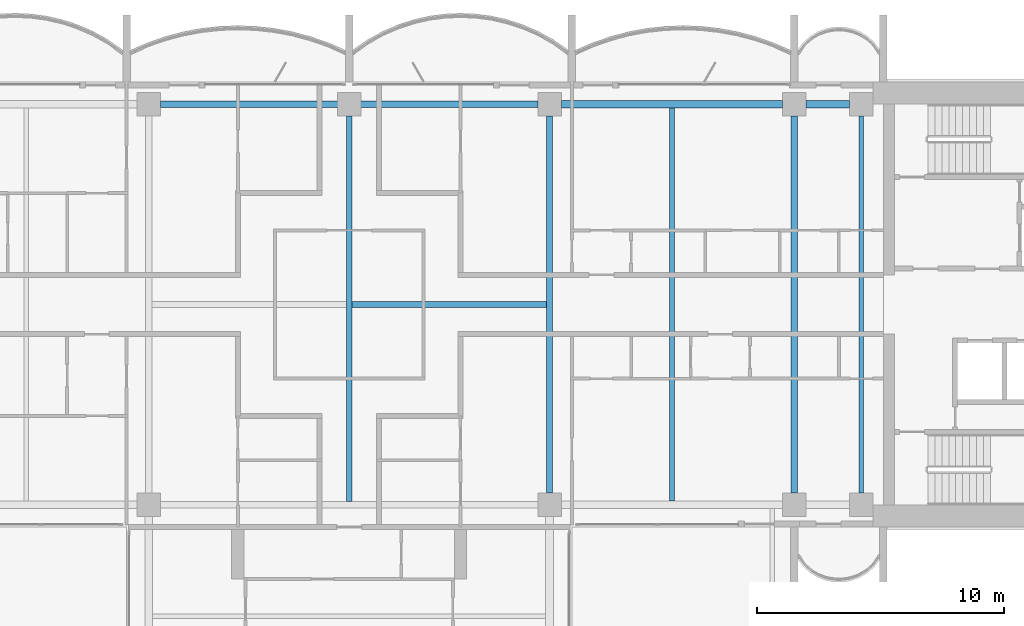
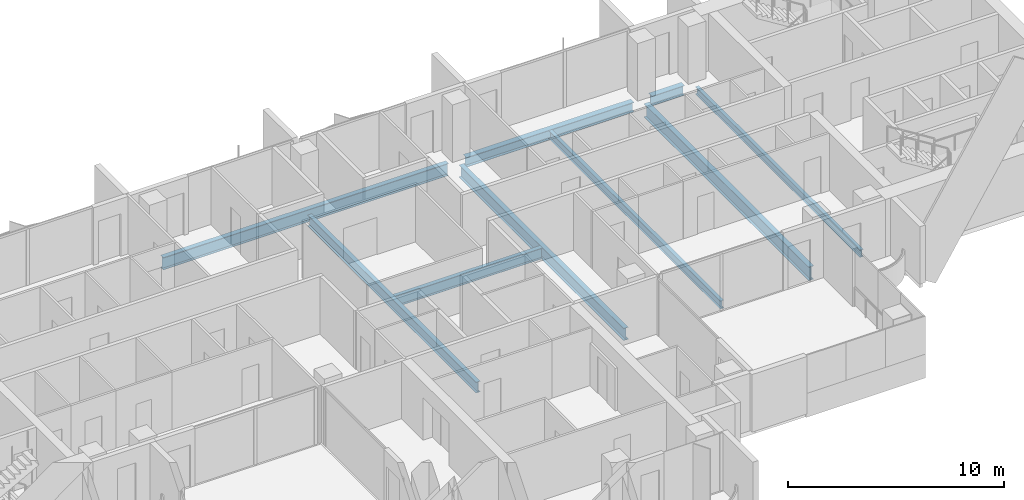
# One storey, part 4 of 17: 9 beams.
"""IFC4 building model written with IfcOpenShell, lengths in metres."""

import ifcopenshell
import ifcopenshell.guid

model = None  # the IFC model being written
_history = None  # IfcOwnerHistory: only IFC2X3 demands one
_inside = {}  # id of a spatial element -> (the spatial element, [elements in it])
_under = {}  # id of a project, library or spatial element -> (it, [spatial elements below it])
_declared = {}  # id of a project -> (the project, [libraries it declares])
_typed = {}  # id of a type object -> (the type object, [elements of that type])
_made_of = {}  # id of a material, layer set ... -> (it, [elements and type objects made of it])


def new_model(schema):
    """Start an empty IFC model of exactly this schema.

    Asked for "IFC4X3", IfcOpenShell would pick the latest addendum, in which some entities
    have other attributes; the version numbers below select the first issue.
    IFC2X3 requires an IfcOwnerHistory on every rooted entity: one is made here for all.
    """
    global model, _history
    if schema == "IFC4X3":
        model = ifcopenshell.file(schema_version=(4, 3, 0, 0))
    else:
        model = ifcopenshell.file(schema=schema)
    _inside.clear()
    _under.clear()
    _declared.clear()
    _typed.clear()
    _made_of.clear()
    _history = None
    if model.schema == "IFC2X3":
        org = make("IfcOrganization", Name="unknown")
        user = make(
            "IfcPersonAndOrganization",
            ThePerson=make("IfcPerson", FamilyName="unknown"),
            TheOrganization=org,
        )
        app = make(
            "IfcApplication",
            ApplicationDeveloper=org,
            Version="unknown",
            ApplicationFullName="unknown",
            ApplicationIdentifier="unknown",
        )
        _history = make(
            "IfcOwnerHistory",
            OwningUser=user,
            OwningApplication=app,
            ChangeAction="ADDED",
            CreationDate=0,
        )
    return model


def make(cls, **values):
    """One entity of the class cls with the attributes given. An attribute that is None is left unset."""
    return model.create_entity(
        cls, **{name: value for name, value in values.items() if value is not None}
    )


def rooted(cls, **values):
    """An entity with a GlobalId (a new one), such as an element, a storey or a relation."""
    return make(cls, GlobalId=ifcopenshell.guid.new(), OwnerHistory=_history, **values)


def si_unit(unit_type, name, prefix=None):
    """IfcSIUnit, for example si_unit("LENGTHUNIT", "METRE", prefix="MILLI")."""
    return make("IfcSIUnit", UnitType=unit_type, Prefix=prefix, Name=name)


def assignment(units):
    """IfcUnitAssignment: the units of a project."""
    return None if units is None else make("IfcUnitAssignment", Units=units)


def point(xyz):
    """IfcCartesianPoint."""
    return None if xyz is None else make("IfcCartesianPoint", Coordinates=xyz)


def direction(xyz):
    """IfcDirection."""
    return None if xyz is None else make("IfcDirection", DirectionRatios=xyz)


def frame(location, z_axis=None, x_axis=None):
    """IfcAxis2Placement3D, a coordinate frame: its origin and axes. An axis left out is left unset."""
    return make(
        "IfcAxis2Placement3D",
        Location=point(location),
        Axis=direction(z_axis),
        RefDirection=direction(x_axis),
    )


def frame_2d(location, x_axis=None):
    """IfcAxis2Placement2D, a coordinate frame in the plane: its origin and x axis."""
    return make(
        "IfcAxis2Placement2D", Location=point(location), RefDirection=direction(x_axis)
    )


def origin():
    """The frame at (0, 0, 0) with its axes left unset."""
    return frame((0.0, 0.0, 0.0))


def origin_2d():
    """The frame at (0, 0) in the plane with its x axis left unset."""
    return frame_2d((0.0, 0.0))


def place(relative_to, where):
    """IfcLocalPlacement: puts the frame where relative to a parent placement (None: the world)."""
    return make(
        "IfcLocalPlacement", PlacementRelTo=relative_to, RelativePlacement=where
    )


def context(
    kind, dimensions, precision=None, world=None, true_north=None, identifier=None
):
    """IfcGeometricRepresentationContext, for example the 3D "Model" context."""
    return make(
        "IfcGeometricRepresentationContext",
        ContextIdentifier=identifier,
        ContextType=kind,
        CoordinateSpaceDimension=dimensions,
        Precision=precision,
        WorldCoordinateSystem=world,
        TrueNorth=true_north,
    )


def subcontext(parent, identifier, kind, view, scale=None):
    """IfcGeometricRepresentationSubContext, for example "Body" below "Model"."""
    return make(
        "IfcGeometricRepresentationSubContext",
        ContextIdentifier=identifier,
        ContextType=kind,
        ParentContext=parent,
        TargetScale=scale,
        TargetView=view,
    )


def project(units=None, contexts=None):
    """IfcProject with its units and contexts."""
    return rooted(
        "IfcProject",
        Name="project",
        RepresentationContexts=contexts,
        UnitsInContext=assignment(units),
    )


def spatial(cls, under=None, at=None, **own):
    """A site, building, storey or space (cls), placed at a placement, below another one or the project."""
    s = rooted(cls, ObjectPlacement=at, **own)
    if under is not None:
        _under.setdefault(under.id(), (under, []))[1].append(s)
    return s


def profile(cls, at=None, kind="AREA", **sizes):
    """A parametric profile (cls). Its sizes go by their IFC names, for example OverallWidth=200.0."""
    return make(cls, ProfileType=kind, Position=at, **sizes)


def i_section(**sizes):
    """IfcIShapeProfileDef."""
    return profile("IfcIShapeProfileDef", **sizes)


def extrude(swept, where, along, depth):
    """IfcExtrudedAreaSolid: the profile swept, set in the frame where, extruded along a direction by depth."""
    return make(
        "IfcExtrudedAreaSolid",
        SweptArea=swept,
        Position=where,
        ExtrudedDirection=direction(along),
        Depth=depth,
    )


def shape(context_of_items, identifier, shape_type, items):
    """IfcShapeRepresentation: the items that make up one representation, for example the "Body"."""
    return make(
        "IfcShapeRepresentation",
        ContextOfItems=context_of_items,
        RepresentationIdentifier=identifier,
        RepresentationType=shape_type,
        Items=items,
    )


def material(Name=None, Category=None):
    """IfcMaterial."""
    return make("IfcMaterial", Name=Name, Category=Category)


def material_profile(
    of_material, cross_section, Name=None, Category=None, Priority=None
):
    """IfcMaterialProfile: a cross section and its material."""
    return make(
        "IfcMaterialProfile",
        Name=Name,
        Material=of_material,
        Profile=cross_section,
        Priority=Priority,
        Category=Category,
    )


def profile_set(profiles, Name=None, composite=None):
    """IfcMaterialProfileSet."""
    return make(
        "IfcMaterialProfileSet",
        Name=Name,
        MaterialProfiles=profiles,
        CompositeProfile=composite,
    )


def made_of(thing, what):
    """Note that an element or type object is made of a material, layer set ...; save() writes the relation."""
    if what is not None:
        _made_of.setdefault(what.id(), (what, []))[1].append(thing)
    return thing


def type_object(cls, material=None, **own):
    """A type object (cls), such as IfcWallType, which elements share."""
    return made_of(rooted(cls, **own), material)


def element(
    cls,
    number,
    at=None,
    inside=None,
    cuts=None,
    type_object=None,
    material=None,
    context=None,
    identifier="Body",
    shape_type=None,
    held_by="IfcProductDefinitionShape",
    body=None,
    shapes=None,
    **own,
):
    """One element of the class cls, such as IfcWall. Its Tag is "e" and its number.

    at: its placement. inside: the storey or other place that contains it. cuts: it is an
    opening in that element (IfcRelVoidsElement). A single representation is given by context,
    identifier, shape_type and body (its items); several are given by shapes. held_by: the class
    of the entity that holds the representations. save() writes the other relations.
    """
    e = rooted(cls, Tag="e%d" % number, ObjectPlacement=at, **own)
    if body is not None:
        shapes = [shape(context, identifier, shape_type, body)]
    if shapes is not None:
        e.Representation = make(held_by, Representations=shapes)
    if inside is not None:
        _inside.setdefault(inside.id(), (inside, []))[1].append(e)
    if cuts is not None:
        rooted(
            "IfcRelVoidsElement", RelatingBuildingElement=cuts, RelatedOpeningElement=e
        )
    if type_object is not None:
        _typed.setdefault(type_object.id(), (type_object, []))[1].append(e)
    return made_of(e, material)


def aggregate(whole, parts):
    """IfcRelAggregates: a whole, such as a stair, and the parts it consists of."""
    return rooted("IfcRelAggregates", RelatingObject=whole, RelatedObjects=parts)


def save(model, path):
    """Write the relations noted so far, then the file.

    IfcRelAggregates (storeys below a building ...), IfcRelContainedInSpatialStructure (elements
    in a storey), IfcRelDefinesByType, IfcRelAssociatesMaterial and IfcRelDeclares: one each for
    every whole, place, type object, material and project.
    """
    for whole, parts in _under.values():
        aggregate(whole, parts)
    for where, things in _inside.values():
        rooted(
            "IfcRelContainedInSpatialStructure",
            RelatedElements=things,
            RelatingStructure=where,
        )
    for kind, things in _typed.values():
        rooted("IfcRelDefinesByType", RelatedObjects=things, RelatingType=kind)
    for what, things in _made_of.values():
        rooted("IfcRelAssociatesMaterial", RelatedObjects=things, RelatingMaterial=what)
    for by, libraries in _declared.values():
        rooted("IfcRelDeclares", RelatingContext=by, RelatedDefinitions=libraries)
    model.write(path)


model = new_model("IFC4")

# Units and contexts
model_context = context("Model", 3, precision=1e-05, world=origin(), true_north=direction((0.0, 1.0)))
body_context = subcontext(model_context, "Body", "Model", "MODEL_VIEW")
ifc_project = project(units=[si_unit("LENGTHUNIT", "METRE"), si_unit("AREAUNIT", "SQUARE_METRE"), si_unit("VOLUMEUNIT", "CUBIC_METRE"), si_unit("PLANEANGLEUNIT", "RADIAN"), si_unit("MASSUNIT", "GRAM", prefix="KILO")], contexts=[model_context])

# Site, building, storey
site_placement = place(None, origin())
site = spatial("IfcSite", under=ifc_project, at=site_placement, CompositionType="ELEMENT")
building_placement = place(site_placement, origin())
building = spatial("IfcBuilding", under=site, at=building_placement, Name="Perihelion Cross Residences", CompositionType="ELEMENT")
storey_placement = place(building_placement, frame((0.0, 0.0, 187.60009765625)))
storey = spatial("IfcBuildingStorey", under=building, at=storey_placement, Name="L46", CompositionType="ELEMENT", Elevation=187.60009765625)

# Beams
ifc_material_1 = material(Name="Steel S355", Category="steel")
ifc_material_profile_1 = material_profile(ifc_material_1, i_section(OverallWidth=0.180908203125, OverallDepth=0.4169921875, WebThickness=0.010986328125, FlangeThickness=0.018310546875, at=origin_2d()), Name="W410x85")
ifc_profile_set_1 = profile_set([ifc_material_profile_1], Name="Steel S355")
beam_type_1 = type_object("IfcBeamType", Name="Core edge beam W410x85", PredefinedType="BEAM", material=ifc_profile_set_1)
beam_1_placement = place(storey_placement, frame((20.699951171875, -7.625, -0.45849609375), z_axis=(0.0, 1.0, 0.0), x_axis=(-1.0, 0.0, 0.0)))
element("IfcBeam", 1, at=beam_1_placement, inside=storey, type_object=beam_type_1, Name="Core edge beam TB6 L46 no. 2", PredefinedType="BEAM", context=body_context, shape_type="SweptSolid", body=[
    extrude(i_section(OverallWidth=0.180908203125, OverallDepth=0.4169921875, WebThickness=0.010986328125, FlangeThickness=0.018310546875, at=origin_2d()), origin(), (0.0, 0.0, 1.0), 15.25),
])
ifc_material_2 = material(Name="Steel S355", Category="steel")
ifc_material_profile_2 = material_profile(ifc_material_2, i_section(OverallWidth=0.31201171875, OverallDepth=0.5439453125, WebThickness=0.0126953125, FlangeThickness=0.020263671875, at=origin_2d()), Name="W530x150")
ifc_profile_set_2 = profile_set([ifc_material_profile_2], Name="Steel S355")
beam_type_2 = type_object("IfcBeamType", Name="Edge beam W530x150", PredefinedType="SPANDREL", material=ifc_profile_set_2)
beam_2_placement = place(storey_placement, frame((20.22509765625, 8.10009765625, -0.522216796875), z_axis=(-1.0, 0.0, 0.0), x_axis=(0.0, -1.0, 0.0)))
element("IfcBeam", 2, at=beam_2_placement, inside=storey, type_object=beam_type_2, Name="Edge beam SB4 L46 no. 10", PredefinedType="SPANDREL", context=body_context, shape_type="SweptSolid", body=[
    extrude(i_section(OverallWidth=0.31201171875, OverallDepth=0.5439453125, WebThickness=0.0126953125, FlangeThickness=0.020263671875, at=origin_2d()), origin(), (0.0, 0.0, 1.0), 1.75),
])
beam_3_placement = place(storey_placement, frame((17.52490234375, 8.10009765625, -0.522216796875), z_axis=(-1.0, 0.0, 0.0), x_axis=(0.0, -1.0, 0.0)))
element("IfcBeam", 3, at=beam_3_placement, inside=storey, type_object=beam_type_2, Name="Edge beam SB4 L46 no. 9", PredefinedType="SPANDREL", context=body_context, shape_type="SweptSolid", body=[
    extrude(i_section(OverallWidth=0.31201171875, OverallDepth=0.5439453125, WebThickness=0.0126953125, FlangeThickness=0.020263671875, at=origin_2d()), origin(), (0.0, 0.0, 1.0), 8.949951171875),
])
ifc_material_3 = material(Name="Steel S355", Category="steel")
ifc_material_profile_3 = material_profile(ifc_material_3, i_section(OverallWidth=0.26708984375, OverallDepth=0.77001953125, WebThickness=0.015625, FlangeThickness=0.025390625, at=origin_2d()), Name="W760x196")
ifc_profile_set_3 = profile_set([ifc_material_profile_3], Name="Steel S355")
beam_type_3 = type_object("IfcBeamType", Name="Floor girder W760x196", PredefinedType="BEAM", material=ifc_profile_set_3)
beam_4_placement = place(storey_placement, frame((18.0, -7.625, -0.635009765625), z_axis=(0.0, 1.0, 0.0), x_axis=(-1.0, 0.0, 0.0)))
element("IfcBeam", 4, at=beam_4_placement, inside=storey, type_object=beam_type_3, Name="Girder G4 L46 no. 2", PredefinedType="BEAM", context=body_context, shape_type="SweptSolid", body=[
    extrude(i_section(OverallWidth=0.26708984375, OverallDepth=0.77001953125, WebThickness=0.015625, FlangeThickness=0.025390625, at=origin_2d()), origin(), (0.0, 0.0, 1.0), 15.25),
])
ifc_material_4 = material(Name="Steel S355", Category="steel")
ifc_material_profile_4 = material_profile(ifc_material_4, i_section(OverallWidth=0.19091796875, OverallDepth=0.45703125, WebThickness=0.009033203125, FlangeThickness=0.014404296875, at=origin_2d()), Name="W460x74")
ifc_profile_set_4 = profile_set([ifc_material_profile_4], Name="Steel S355")
beam_type_4 = type_object("IfcBeamType", Name="Floor joist W460x74", PredefinedType="JOIST", material=ifc_profile_set_4)
beam_5_placement = place(storey_placement, frame((13.050048828125, -7.944091796875, -0.478515625), z_axis=(0.0, 1.0, 0.0), x_axis=(-1.0, 0.0, 0.0)))
element("IfcBeam", 5, at=beam_5_placement, inside=storey, type_object=beam_type_4, Name="Joist J5 L46 no. 2", PredefinedType="JOIST", context=body_context, shape_type="SweptSolid", body=[
    extrude(i_section(OverallWidth=0.19091796875, OverallDepth=0.45703125, WebThickness=0.009033203125, FlangeThickness=0.014404296875, at=origin_2d()), origin(), (0.0, 0.0, 1.0), 15.88818359375),
])
ifc_material_5 = material(Name="Steel S355", Category="steel")
ifc_material_profile_5 = material_profile(ifc_material_5, i_section(OverallWidth=0.22900390625, OverallDepth=0.612060546875, WebThickness=0.011962890625, FlangeThickness=0.01953125, at=origin_2d()), Name="W610x125")
ifc_profile_set_5 = profile_set([ifc_material_profile_5], Name="Steel S355")
beam_type_5 = type_object("IfcBeamType", Name="Hub cross beam W610x125", PredefinedType="BEAM", material=ifc_profile_set_5)
beam_6_placement = place(storey_placement, frame((0.0, -7.971435546875, -0.55615234375), z_axis=(0.0, 1.0, 0.0), x_axis=(-1.0, 0.0, 0.0)))
element("IfcBeam", 6, at=beam_6_placement, inside=storey, type_object=beam_type_5, Name="Hub cross beam XB4 L46 no. 1", PredefinedType="BEAM", context=body_context, shape_type="SweptSolid", body=[
    extrude(i_section(OverallWidth=0.22900390625, OverallDepth=0.612060546875, WebThickness=0.011962890625, FlangeThickness=0.01953125, at=origin_2d()), origin(), (0.0, 0.0, 1.0), 15.596435546875),
])
beam_7_placement = place(storey_placement, frame((0.114501953125, 0.0, -0.55615234375), z_axis=(1.0, 0.0, 0.0), x_axis=(0.0, 1.0, 0.0)))
element("IfcBeam", 7, at=beam_7_placement, inside=storey, type_object=beam_type_5, Name="Hub cross beam XB4 L46 2 no. 1", PredefinedType="BEAM", context=body_context, shape_type="SweptSolid", body=[
    extrude(i_section(OverallWidth=0.22900390625, OverallDepth=0.612060546875, WebThickness=0.011962890625, FlangeThickness=0.01953125, at=origin_2d()), origin(), (0.0, 0.0, 1.0), 7.85693359375),
])
ifc_material_6 = material(Name="Steel S355", Category="steel")
ifc_material_profile_6 = material_profile(ifc_material_6, i_section(OverallWidth=0.257080078125, OverallDepth=0.693115234375, WebThickness=0.014404296875, FlangeThickness=0.023681640625, at=origin_2d()), Name="W690x170")
ifc_profile_set_6 = profile_set([ifc_material_profile_6], Name="Steel S355")
beam_type_6 = type_object("IfcBeamType", Name="Hub ring girder W690x170", PredefinedType="BEAM", material=ifc_profile_set_6)
for number, where, z_axis, x_axis, name in (
    (8, (8.10009765625, -7.625, -0.5966796875), (0.0, 1.0, 0.0), (-1.0, 0.0, 0.0), "Hub ring girder RG4 L46 no. 3"),
    (9, (7.625, 8.10009765625, -0.5966796875), (-1.0, 0.0, 0.0), (0.0, -1.0, 0.0), "Hub ring girder RG4 L46 no. 4"),
):
    element("IfcBeam", number, at=place(storey_placement, frame(where, z_axis=z_axis, x_axis=x_axis)), inside=storey, type_object=beam_type_6, Name=name, PredefinedType="BEAM", context=body_context, shape_type="SweptSolid", body=[
        extrude(i_section(OverallWidth=0.257080078125, OverallDepth=0.693115234375, WebThickness=0.014404296875, FlangeThickness=0.023681640625, at=origin_2d()), origin(), (0.0, 0.0, 1.0), 15.25),
    ])

save(model, "model.ifc")
